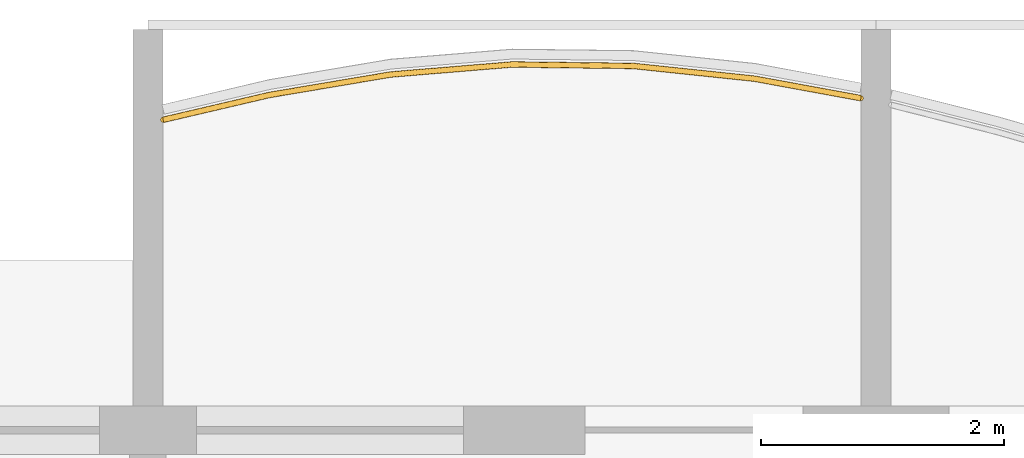
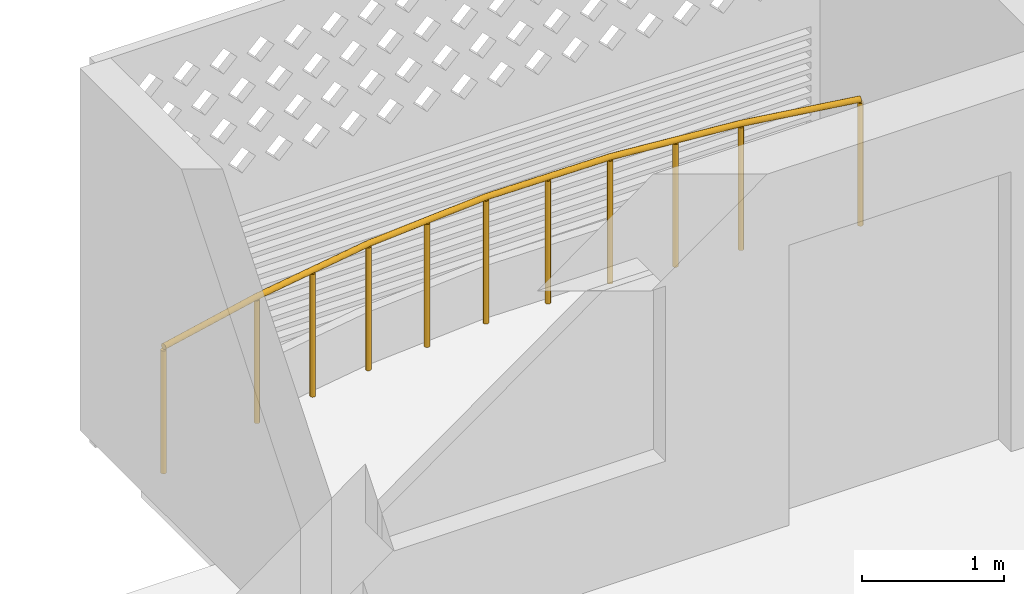
# One storey, part 27 of 32: 1 railing.
"""IFC4 building model written with IfcOpenShell, lengths in metres."""

import ifcopenshell
import ifcopenshell.guid

model = None  # the IFC model being written
_history = None  # IfcOwnerHistory: only IFC2X3 demands one
_inside = {}  # id of a spatial element -> (the spatial element, [elements in it])
_under = {}  # id of a project, library or spatial element -> (it, [spatial elements below it])
_declared = {}  # id of a project -> (the project, [libraries it declares])
_typed = {}  # id of a type object -> (the type object, [elements of that type])
_made_of = {}  # id of a material, layer set ... -> (it, [elements and type objects made of it])


def new_model(schema):
    """Start an empty IFC model of exactly this schema.

    Asked for "IFC4X3", IfcOpenShell would pick the latest addendum, in which some entities
    have other attributes; the version numbers below select the first issue.
    IFC2X3 requires an IfcOwnerHistory on every rooted entity: one is made here for all.
    """
    global model, _history
    if schema == "IFC4X3":
        model = ifcopenshell.file(schema_version=(4, 3, 0, 0))
    else:
        model = ifcopenshell.file(schema=schema)
    _inside.clear()
    _under.clear()
    _declared.clear()
    _typed.clear()
    _made_of.clear()
    _history = None
    if model.schema == "IFC2X3":
        org = make("IfcOrganization", Name="unknown")
        user = make(
            "IfcPersonAndOrganization",
            ThePerson=make("IfcPerson", FamilyName="unknown"),
            TheOrganization=org,
        )
        app = make(
            "IfcApplication",
            ApplicationDeveloper=org,
            Version="unknown",
            ApplicationFullName="unknown",
            ApplicationIdentifier="unknown",
        )
        _history = make(
            "IfcOwnerHistory",
            OwningUser=user,
            OwningApplication=app,
            ChangeAction="ADDED",
            CreationDate=0,
        )
    return model


def make(cls, **values):
    """One entity of the class cls with the attributes given. An attribute that is None is left unset."""
    return model.create_entity(
        cls, **{name: value for name, value in values.items() if value is not None}
    )


def rooted(cls, **values):
    """An entity with a GlobalId (a new one), such as an element, a storey or a relation."""
    return make(cls, GlobalId=ifcopenshell.guid.new(), OwnerHistory=_history, **values)


def si_unit(unit_type, name, prefix=None):
    """IfcSIUnit, for example si_unit("LENGTHUNIT", "METRE", prefix="MILLI")."""
    return make("IfcSIUnit", UnitType=unit_type, Prefix=prefix, Name=name)


def assignment(units):
    """IfcUnitAssignment: the units of a project."""
    return None if units is None else make("IfcUnitAssignment", Units=units)


def point(xyz):
    """IfcCartesianPoint."""
    return None if xyz is None else make("IfcCartesianPoint", Coordinates=xyz)


def direction(xyz):
    """IfcDirection."""
    return None if xyz is None else make("IfcDirection", DirectionRatios=xyz)


def frame(location, z_axis=None, x_axis=None):
    """IfcAxis2Placement3D, a coordinate frame: its origin and axes. An axis left out is left unset."""
    return make(
        "IfcAxis2Placement3D",
        Location=point(location),
        Axis=direction(z_axis),
        RefDirection=direction(x_axis),
    )


def frame_2d(location, x_axis=None):
    """IfcAxis2Placement2D, a coordinate frame in the plane: its origin and x axis."""
    return make(
        "IfcAxis2Placement2D", Location=point(location), RefDirection=direction(x_axis)
    )


def origin():
    """The frame at (0, 0, 0) with its axes left unset."""
    return frame((0.0, 0.0, 0.0))


def origin_2d():
    """The frame at (0, 0) in the plane with its x axis left unset."""
    return frame_2d((0.0, 0.0))


def place(relative_to, where):
    """IfcLocalPlacement: puts the frame where relative to a parent placement (None: the world)."""
    return make(
        "IfcLocalPlacement", PlacementRelTo=relative_to, RelativePlacement=where
    )


def context(
    kind, dimensions, precision=None, world=None, true_north=None, identifier=None
):
    """IfcGeometricRepresentationContext, for example the 3D "Model" context."""
    return make(
        "IfcGeometricRepresentationContext",
        ContextIdentifier=identifier,
        ContextType=kind,
        CoordinateSpaceDimension=dimensions,
        Precision=precision,
        WorldCoordinateSystem=world,
        TrueNorth=true_north,
    )


def subcontext(parent, identifier, kind, view, scale=None):
    """IfcGeometricRepresentationSubContext, for example "Body" below "Model"."""
    return make(
        "IfcGeometricRepresentationSubContext",
        ContextIdentifier=identifier,
        ContextType=kind,
        ParentContext=parent,
        TargetScale=scale,
        TargetView=view,
    )


def project(units=None, contexts=None):
    """IfcProject with its units and contexts."""
    return rooted(
        "IfcProject",
        Name="project",
        RepresentationContexts=contexts,
        UnitsInContext=assignment(units),
    )


def spatial(cls, under=None, at=None, **own):
    """A site, building, storey or space (cls), placed at a placement, below another one or the project."""
    s = rooted(cls, ObjectPlacement=at, **own)
    if under is not None:
        _under.setdefault(under.id(), (under, []))[1].append(s)
    return s


def profile(cls, at=None, kind="AREA", **sizes):
    """A parametric profile (cls). Its sizes go by their IFC names, for example OverallWidth=200.0."""
    return make(cls, ProfileType=kind, Position=at, **sizes)


def circle(**sizes):
    """IfcCircleProfileDef."""
    return profile("IfcCircleProfileDef", **sizes)


def extrude(swept, where, along, depth):
    """IfcExtrudedAreaSolid: the profile swept, set in the frame where, extruded along a direction by depth."""
    return make(
        "IfcExtrudedAreaSolid",
        SweptArea=swept,
        Position=where,
        ExtrudedDirection=direction(along),
        Depth=depth,
    )


def shape(context_of_items, identifier, shape_type, items):
    """IfcShapeRepresentation: the items that make up one representation, for example the "Body"."""
    return make(
        "IfcShapeRepresentation",
        ContextOfItems=context_of_items,
        RepresentationIdentifier=identifier,
        RepresentationType=shape_type,
        Items=items,
    )


def material(Name=None, Category=None):
    """IfcMaterial."""
    return make("IfcMaterial", Name=Name, Category=Category)


def made_of(thing, what):
    """Note that an element or type object is made of a material, layer set ...; save() writes the relation."""
    if what is not None:
        _made_of.setdefault(what.id(), (what, []))[1].append(thing)
    return thing


def type_object(cls, material=None, **own):
    """A type object (cls), such as IfcWallType, which elements share."""
    return made_of(rooted(cls, **own), material)


def element(
    cls,
    number,
    at=None,
    inside=None,
    cuts=None,
    type_object=None,
    material=None,
    context=None,
    identifier="Body",
    shape_type=None,
    held_by="IfcProductDefinitionShape",
    body=None,
    shapes=None,
    **own,
):
    """One element of the class cls, such as IfcWall. Its Tag is "e" and its number.

    at: its placement. inside: the storey or other place that contains it. cuts: it is an
    opening in that element (IfcRelVoidsElement). A single representation is given by context,
    identifier, shape_type and body (its items); several are given by shapes. held_by: the class
    of the entity that holds the representations. save() writes the other relations.
    """
    e = rooted(cls, Tag="e%d" % number, ObjectPlacement=at, **own)
    if body is not None:
        shapes = [shape(context, identifier, shape_type, body)]
    if shapes is not None:
        e.Representation = make(held_by, Representations=shapes)
    if inside is not None:
        _inside.setdefault(inside.id(), (inside, []))[1].append(e)
    if cuts is not None:
        rooted(
            "IfcRelVoidsElement", RelatingBuildingElement=cuts, RelatedOpeningElement=e
        )
    if type_object is not None:
        _typed.setdefault(type_object.id(), (type_object, []))[1].append(e)
    return made_of(e, material)


def aggregate(whole, parts):
    """IfcRelAggregates: a whole, such as a stair, and the parts it consists of."""
    return rooted("IfcRelAggregates", RelatingObject=whole, RelatedObjects=parts)


def save(model, path):
    """Write the relations noted so far, then the file.

    IfcRelAggregates (storeys below a building ...), IfcRelContainedInSpatialStructure (elements
    in a storey), IfcRelDefinesByType, IfcRelAssociatesMaterial and IfcRelDeclares: one each for
    every whole, place, type object, material and project.
    """
    for whole, parts in _under.values():
        aggregate(whole, parts)
    for where, things in _inside.values():
        rooted(
            "IfcRelContainedInSpatialStructure",
            RelatedElements=things,
            RelatingStructure=where,
        )
    for kind, things in _typed.values():
        rooted("IfcRelDefinesByType", RelatedObjects=things, RelatingType=kind)
    for what, things in _made_of.values():
        rooted("IfcRelAssociatesMaterial", RelatedObjects=things, RelatingMaterial=what)
    for by, libraries in _declared.values():
        rooted("IfcRelDeclares", RelatingContext=by, RelatedDefinitions=libraries)
    model.write(path)


model = new_model("IFC4")

# Units and contexts
model_context = context("Model", 3, precision=1e-05, world=origin(), true_north=direction((0.0, 1.0)))
body_context = subcontext(model_context, "Body", "Model", "MODEL_VIEW")
ifc_project = project(units=[si_unit("LENGTHUNIT", "METRE"), si_unit("AREAUNIT", "SQUARE_METRE"), si_unit("VOLUMEUNIT", "CUBIC_METRE"), si_unit("PLANEANGLEUNIT", "RADIAN"), si_unit("MASSUNIT", "GRAM", prefix="KILO")], contexts=[model_context])

# Site, building, storey
site_placement = place(None, origin())
site = spatial("IfcSite", under=ifc_project, at=site_placement, CompositionType="ELEMENT")
building_placement = place(site_placement, origin())
building = spatial("IfcBuilding", under=site, at=building_placement, Name="Poui Terraces", CompositionType="ELEMENT")
storey_placement = place(building_placement, frame((0.0, 0.0, 122.39990234375)))
storey = spatial("IfcBuildingStorey", under=building, at=storey_placement, Name="L33", CompositionType="ELEMENT", Elevation=122.39990234375)

# Railing
ifc_material = material(Name="Painted steel fretwork", Category="steel")
railing_type = type_object("IfcRailingType", Name="BALCONY GUARD 1100", PredefinedType="GUARDRAIL", material=ifc_material)
railing_placement = place(storey_placement, frame((60.125, 44.95751953125, 0.0)))
element("IfcRailing", 1, at=railing_placement, inside=storey, type_object=railing_type, Name="BALCONY GUARD", PredefinedType="GUARDRAIL", context=body_context, shape_type="SweptSolid", body=[
    extrude(circle(Radius=0.02392578125, at=origin_2d()), frame((0.0, 0.0, 1.076171875), z_axis=(0.973736897475, 0.227676205381, 0.0), x_axis=(-0.227676205381, 0.973736897475, 0.0)), (0.0, 0.0, 1.0), 0.898681640625),
    extrude(circle(Radius=0.02392578125, at=origin_2d()), frame((0.875, 0.20458984375, 1.076171875), z_axis=(0.986066669641, 0.166350602715, 0.0), x_axis=(-0.166350602715, 0.986066669641, 0.0)), (0.0, 0.0, 1.0), 1.01416015625),
    extrude(circle(Radius=0.02392578125, at=origin_2d()), frame((1.875, 0.373291015625, 1.076171875), z_axis=(0.99661255374, 0.082240000773, 0.0), x_axis=(-0.082240000773, 0.99661255374, 0.0)), (0.0, 0.0, 1.0), 1.00341796875),
    extrude(circle(Radius=0.02392578125, at=origin_2d()), frame((2.875, 0.455810546875, 1.076171875), z_axis=(0.999928452303, -0.011962034708, 0.0), x_axis=(0.011962034708, 0.999928452303, 0.0)), (0.0, 0.0, 1.0), 1.0),
    extrude(circle(Radius=0.02392578125, at=origin_2d()), frame((3.875, 0.44384765625, 1.076171875), z_axis=(0.994509443434, -0.104646867705, 0.0), x_axis=(0.104646867705, 0.994509443434, 0.0)), (0.0, 0.0, 1.0), 1.005615234375),
    extrude(circle(Radius=0.02392578125, at=origin_2d()), frame((4.875, 0.338623046875, 1.076171875), z_axis=(0.983609802465, -0.180310167472, 0.0), x_axis=(0.180310167472, 0.983609802465, 0.0)), (0.0, 0.0, 1.0), 0.8896484375),
    extrude(circle(Radius=0.02099609375, at=origin_2d()), origin(), (0.0, 0.0, 1.0), 1.052001953125),
    extrude(circle(Radius=0.02099609375, at=origin_2d()), frame((0.875, 0.20458984375, 0.0)), (0.0, 0.0, 1.0), 1.052001953125),
    extrude(circle(Radius=0.02099609375, at=origin_2d()), frame((1.375, 0.2890625, 0.0)), (0.0, 0.0, 1.0), 1.052001953125),
    extrude(circle(Radius=0.02099609375, at=origin_2d()), frame((1.875, 0.373291015625, 0.0)), (0.0, 0.0, 1.0), 1.052001953125),
    extrude(circle(Radius=0.02099609375, at=origin_2d()), frame((2.375, 0.41455078125, 0.0)), (0.0, 0.0, 1.0), 1.052001953125),
    extrude(circle(Radius=0.02099609375, at=origin_2d()), frame((2.875, 0.455810546875, 0.0)), (0.0, 0.0, 1.0), 1.052001953125),
    extrude(circle(Radius=0.02099609375, at=origin_2d()), frame((3.375, 0.44970703125, 0.0)), (0.0, 0.0, 1.0), 1.052001953125),
    extrude(circle(Radius=0.02099609375, at=origin_2d()), frame((3.875, 0.44384765625, 0.0)), (0.0, 0.0, 1.0), 1.052001953125),
    extrude(circle(Radius=0.02099609375, at=origin_2d()), frame((4.375, 0.39111328125, 0.0)), (0.0, 0.0, 1.0), 1.052001953125),
    extrude(circle(Radius=0.02099609375, at=origin_2d()), frame((4.875, 0.338623046875, 0.0)), (0.0, 0.0, 1.0), 1.052001953125),
    extrude(circle(Radius=0.02099609375, at=origin_2d()), frame((5.75, 0.17822265625, 0.0)), (0.0, 0.0, 1.0), 1.052001953125),
])

save(model, "model.ifc")
